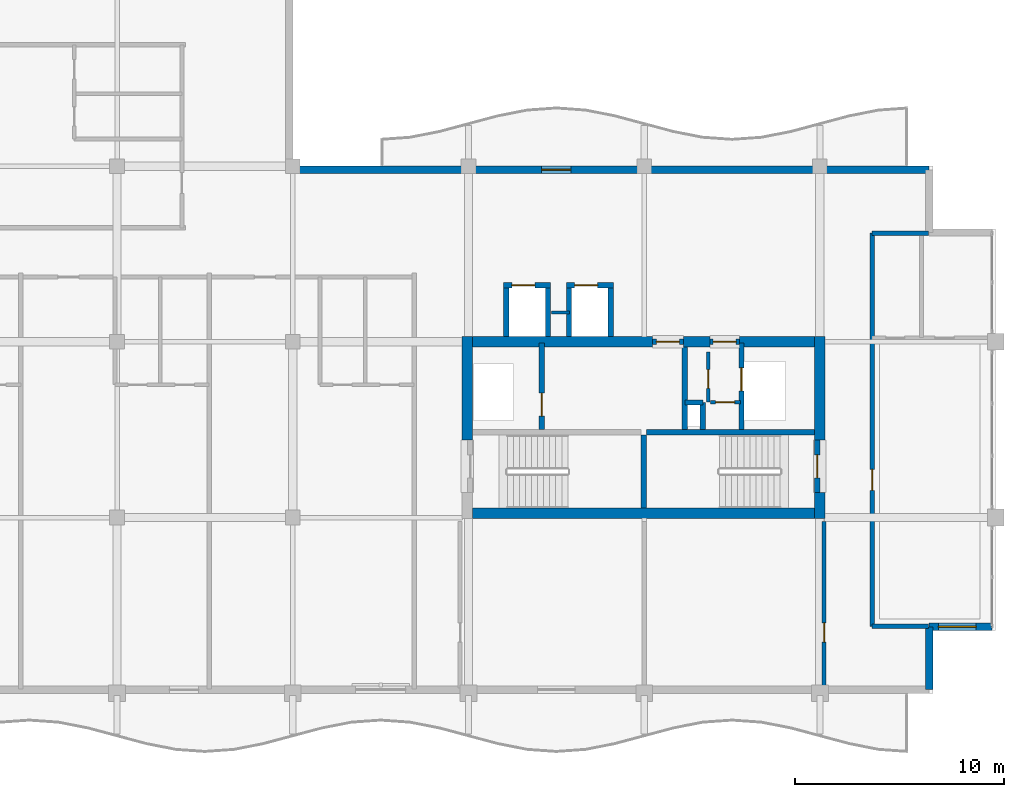
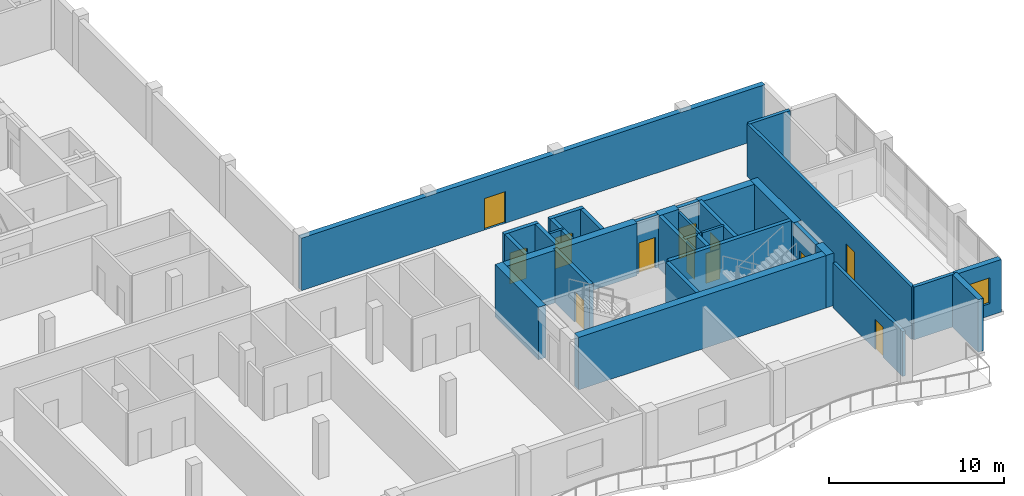
# One storey, part 7 of 14: 33 walls, 12 doors, 1 window, 13 openings.
"""IFC4 building model written with IfcOpenShell, lengths in metres."""

from ifc_helpers import new_model, si_unit, direction, frame, frame_2d, origin, place, context, subcontext, project, spatial, rectangle, extrude, material, layer, layer_set, type_object, element, fill, save


model = new_model("IFC4")

# Units and contexts
model_context = context("Model", 3, precision=1e-05, world=origin(), true_north=direction((0.0, 1.0)))
body_context = subcontext(model_context, "Body", "Model", "MODEL_VIEW")
ifc_project = project(units=[si_unit("LENGTHUNIT", "METRE"), si_unit("AREAUNIT", "SQUARE_METRE"), si_unit("VOLUMEUNIT", "CUBIC_METRE"), si_unit("PLANEANGLEUNIT", "RADIAN"), si_unit("MASSUNIT", "GRAM", prefix="KILO")], contexts=[model_context])

# Site, building, storey
site_placement = place(None, origin())
site = spatial("IfcSite", under=ifc_project, at=site_placement, CompositionType="ELEMENT")
building_placement = place(site_placement, origin())
building = spatial("IfcBuilding", under=site, at=building_placement, Name="Koriwani Terraces Tower", CompositionType="ELEMENT")
storey_placement = place(building_placement, frame((0.0, 0.0, 308.60009765625)))
storey = spatial("IfcBuildingStorey", under=building, at=storey_placement, Name="L76", CompositionType="ELEMENT", Elevation=308.60009765625)

# Walls
ifc_material_1 = material(Name="Concrete C50/60", Category="concrete")
ifc_layer_1 = layer(ifc_material_1, 0.5, Name="Concrete C50/60")
ifc_layer_set_1 = layer_set([ifc_layer_1], Name="Concrete C50/60")
wall_type_1 = type_object("IfcWallType", Name="WALL_CORE_RC_500", PredefinedType="SHEAR", material=ifc_layer_set_1)
wall_1_placement = place(storey_placement, frame((41.949951171875, 20.5, 0.0), z_axis=(0.0, 0.0, 1.0), x_axis=(0.0, 1.0, 0.0)))
element("IfcWall", 1, at=wall_1_placement, inside=storey, type_object=wall_type_1, Name="L76 East Split Core Shear Wall W2", PredefinedType="SHEAR", context=body_context, shape_type="SweptSolid", body=[
    extrude(rectangle(XDim=4.949951171875, YDim=0.5, at=frame_2d((2.47509765625, 0.0))), origin(), (0.0, 0.0, 1.0), 3.669921875),
])
wall_2_placement = place(storey_placement, frame((58.800048828125, 16.75, 0.0), z_axis=(0.0, 0.0, 1.0), x_axis=(0.0, 1.0, 0.0)))
element("IfcWall", 2, at=wall_2_placement, inside=storey, type_object=wall_type_1, Name="L76 East Split Core Shear Wall E1", PredefinedType="SHEAR", context=body_context, shape_type="SweptSolid", body=[
    extrude(rectangle(XDim=1.25, YDim=0.5, at=frame_2d((0.625, 0.0))), origin(), (0.0, 0.0, 1.0), 3.669921875),
])
wall_3_placement = place(storey_placement, frame((58.800048828125, 20.5, 0.0), z_axis=(0.0, 0.0, 1.0), x_axis=(0.0, 1.0, 0.0)))
element("IfcWall", 3, at=wall_3_placement, inside=storey, type_object=wall_type_1, Name="L76 East Split Core Shear Wall E2", PredefinedType="SHEAR", context=body_context, shape_type="SweptSolid", body=[
    extrude(rectangle(XDim=4.949951171875, YDim=0.5, at=frame_2d((2.47509765625, 0.0))), origin(), (0.0, 0.0, 1.0), 3.669921875),
])
wall_4_placement = place(storey_placement, frame((42.199951171875, 17.0, 0.0), z_axis=(0.0, 0.0, 1.0), x_axis=(1.0, 0.0, 0.0)))
element("IfcWall", 4, at=wall_4_placement, inside=storey, type_object=wall_type_1, Name="L76 East Split Core Shear Wall S1", PredefinedType="SHEAR", context=body_context, shape_type="SweptSolid", body=[
    extrude(rectangle(XDim=16.35009765625, YDim=0.5, at=frame_2d((8.175048828125, 0.0))), origin(), (0.0, 0.0, 1.0), 3.669921875),
])
wall_5_placement = place(storey_placement, frame((42.199951171875, 25.199951171875, 0.0), z_axis=(0.0, 0.0, 1.0), x_axis=(1.0, 0.0, 0.0)))
element("IfcWall", 5, at=wall_5_placement, inside=storey, type_object=wall_type_1, Name="L76 East Split Core Shear Wall N1", PredefinedType="SHEAR", context=body_context, shape_type="SweptSolid", body=[
    extrude(rectangle(XDim=8.60009765625, YDim=0.5, at=frame_2d((4.300048828125, 0.0))), origin(), (0.0, 0.0, 1.0), 3.669921875),
])
wall_6_placement = place(storey_placement, frame((52.280029296875, 25.199951171875, 0.0), z_axis=(0.0, 0.0, 1.0), x_axis=(1.0, 0.0, 0.0)))
element("IfcWall", 6, at=wall_6_placement, inside=storey, type_object=wall_type_1, Name="L76 East Split Core Shear Wall N2", PredefinedType="SHEAR", context=body_context, shape_type="SweptSolid", body=[
    extrude(rectangle(XDim=1.27001953125, YDim=0.5, at=frame_2d((0.635009765625, 0.0))), origin(), (0.0, 0.0, 1.0), 3.669921875),
])
wall_7_placement = place(storey_placement, frame((54.949951171875, 25.199951171875, 0.0), z_axis=(0.0, 0.0, 1.0), x_axis=(1.0, 0.0, 0.0)))
element("IfcWall", 7, at=wall_7_placement, inside=storey, type_object=wall_type_1, Name="L76 East Split Core Shear Wall N3", PredefinedType="SHEAR", context=body_context, shape_type="SweptSolid", body=[
    extrude(rectangle(XDim=3.60009765625, YDim=0.5, at=frame_2d((1.800048828125, 0.0))), origin(), (0.0, 0.0, 1.0), 3.669921875),
])

# Wall, opening, door
ifc_material_2 = material(Name="Autoclaved Cellular Concrete Blockwork", Category="masonry")
ifc_layer_2 = layer(ifc_material_2, 0.199951171875, Name="Autoclaved Cellular Concrete Blockwork")
ifc_layer_set_2 = layer_set([ifc_layer_2], Name="Autoclaved Cellular Concrete Blockwork")
wall_type_2 = type_object("IfcWallType", Name="WALL_CORRIDOR_200", PredefinedType="PARTITIONING", material=ifc_layer_set_2)
wall_8_placement = place(storey_placement, frame((59.0, 8.64990234375, 0.0), z_axis=(0.0, 0.0, 1.0), x_axis=(0.0, 1.0, 0.0)))
wall_8 = element("IfcWall", 8, at=wall_8_placement, inside=storey, type_object=wall_type_2, Name="L76 Interior Wall WRZ4-EE-L76", PredefinedType="PARTITIONING", context=body_context, shape_type="SweptSolid", body=[
    extrude(rectangle(XDim=7.9501953125, YDim=0.199951171875, at=frame_2d((3.97509765625, 0.0))), origin(), (0.0, 0.0, 1.0), 3.130859375),
])
opening_1_placement = place(wall_8_placement, frame((2.199951171875, 0.0, 0.0)))
opening_1 = element("IfcOpeningElement", 9, at=opening_1_placement, cuts=wall_8, Name="Opening D-06", PredefinedType="OPENING", context=body_context, shape_type="SweptSolid", body=[
    extrude(rectangle(XDim=0.919921875, YDim=2.10009765625, at=frame_2d((0.4599609375, 1.050048828125))), frame((0.0, 0.10986328125, 0.0), z_axis=(0.0, -1.0, 0.0), x_axis=(1.0, 0.0, 0.0)), (0.0, 0.0, 1.0), 0.219970703125),
])
ifc_material_3 = material(Name="Architectural Oak Fire Door", Category="wood")
door_type_1 = type_object("IfcDoorType", Name="DOOR_ROOM_INT_920X2100", OperationType="NOTDEFINED", PredefinedType="DOOR", material=ifc_material_3)
door_1_placement = place(opening_1_placement, origin())
door_1 = element("IfcDoor", 10, at=door_1_placement, inside=storey, type_object=door_type_1, Name="L76 Resident Laundry Room Door", OperationType="SINGLE_SWING_LEFT", OverallHeight=2.10009765625, OverallWidth=0.919921875, PredefinedType="DOOR", context=body_context, shape_type="SweptSolid", body=[
    extrude(rectangle(XDim=0.919921875, YDim=2.10009765625, at=frame_2d((0.4599609375, 1.050048828125))), frame((0.0, 0.02490234375, 0.0), z_axis=(0.0, -1.0, 0.0), x_axis=(1.0, 0.0, 0.0)), (0.0, 0.0, 1.0), 0.050048828125),
])
fill(opening_1, door_1)

wall_9_placement = place(storey_placement, frame((61.300048828125, 11.60009765625, 0.0), z_axis=(0.0, 0.0, 1.0), x_axis=(0.0, 1.0, 0.0)))
wall_9 = element("IfcWall", 11, at=wall_9_placement, inside=storey, type_object=wall_type_2, Name="L76 Interior Wall WET-W-L76", PredefinedType="PARTITIONING", context=body_context, shape_type="SweptSolid", body=[
    extrude(rectangle(XDim=18.7998046875, YDim=0.199951171875, at=frame_2d((9.39990234375, 0.0))), origin(), (0.0, 0.0, 1.0), 3.669921875),
])
opening_2_placement = place(wall_9_placement, frame((6.5, 0.0, 0.0)))
opening_2 = element("IfcOpeningElement", 12, at=opening_2_placement, cuts=wall_9, Name="Opening D-05", PredefinedType="OPENING", context=body_context, shape_type="SweptSolid", body=[
    extrude(rectangle(XDim=1.0, YDim=2.14990234375, at=frame_2d((0.5, 1.074951171875))), frame((0.0, 0.10986328125, 0.0), z_axis=(0.0, -1.0, 0.0), x_axis=(1.0, 0.0, 0.0)), (0.0, 0.0, 1.0), 0.219970703125),
])
door_type_2 = type_object("IfcDoorType", Name="DOOR_SUITE_ENTRY_1000X2150", OperationType="NOTDEFINED", PredefinedType="DOOR", material=ifc_material_3)
door_2_placement = place(opening_2_placement, origin())
door_2 = element("IfcDoor", 13, at=door_2_placement, inside=storey, type_object=door_type_2, Name="Apartment 76ET Entrance Door", OperationType="SINGLE_SWING_RIGHT", OverallHeight=2.14990234375, OverallWidth=1.0, PredefinedType="DOOR", context=body_context, shape_type="SweptSolid", body=[
    extrude(rectangle(XDim=1.0, YDim=2.14990234375, at=frame_2d((0.5, 1.074951171875))), frame((0.0, 0.02490234375, 0.0), z_axis=(0.0, -1.0, 0.0), x_axis=(1.0, 0.0, 0.0)), (0.0, 0.0, 1.0), 0.050048828125),
])
fill(opening_2, door_2)

# Walls
ifc_layer_3 = layer(ifc_material_2, 0.219970703125, Name="Autoclaved Cellular Concrete Blockwork")
ifc_layer_set_3 = layer_set([ifc_layer_3], Name="Autoclaved Cellular Concrete Blockwork")
wall_type_3 = type_object("IfcWallType", Name="WALL_DEMISING_220", PredefinedType="PARTITIONING", material=ifc_layer_set_3)
for number, where, z_axis, x_axis, name in (
    (14, (61.300048828125, 11.60009765625, 0.0), (0.0, 0.0, 1.0), (1.0, 0.0, 0.0), "L76 Interior Wall WET-S-L76"),
    (15, (61.300048828125, 30.39990234375, 0.0), (0.0, 0.0, 1.0), (1.0, 0.0, 0.0), "L76 Interior Wall WET-N-L76"),
):
    element("IfcWall", number, at=place(storey_placement, frame(where, z_axis=z_axis, x_axis=x_axis)), inside=storey, type_object=wall_type_3, Name=name, PredefinedType="PARTITIONING", context=body_context, shape_type="SweptSolid", body=[
        extrude(rectangle(XDim=2.699951171875, YDim=0.219970703125, at=frame_2d((1.35009765625, 0.0))), origin(), (0.0, 0.0, 1.0), 3.669921875),
    ])

# Wall, opening, door
ifc_layer_4 = layer(ifc_material_1, 0.35009765625, Name="Concrete C50/60")
ifc_layer_set_4 = layer_set([ifc_layer_4], Name="Concrete C50/60")
wall_type_4 = type_object("IfcWallType", Name="WALL_EXT_BRUTALIST_350", PredefinedType="STANDARD", material=ifc_layer_set_4)
wall_10_placement = place(storey_placement, frame((33.425048828125, 33.425048828125, 0.0), z_axis=(0.0, 0.0, 1.0), x_axis=(1.0, 0.0, 0.0)))
wall_10 = element("IfcWall", 16, at=wall_10_placement, inside=storey, type_object=wall_type_4, Name="L76 Fair-Faced Brutalist Exterior Wall (NE)", PredefinedType="STANDARD", context=body_context, shape_type="SweptSolid", body=[
    extrude(rectangle(XDim=30.599853515625, YDim=0.35009765625, at=frame_2d((15.2998046875, 0.0))), origin(), (0.0, 0.0, 1.0), 3.669921875),
])
opening_3_placement = place(wall_10_placement, frame((12.074951171875, 0.0, 0.0)))
opening_3 = element("IfcOpeningElement", 17, at=opening_3_placement, cuts=wall_10, Name="Opening D-09", PredefinedType="OPENING", context=body_context, shape_type="SweptSolid", body=[
    extrude(rectangle(XDim=1.39990234375, YDim=2.199951171875, at=frame_2d((0.699951171875, 1.10009765625))), frame((0.0, 0.18505859375, 0.0), z_axis=(0.0, -1.0, 0.0), x_axis=(1.0, 0.0, 0.0)), (0.0, 0.0, 1.0), 0.3701171875),
])
ifc_material_4 = material(Name="Anodised Bronze Aluminium", Category="aluminium")
door_type_3 = type_object("IfcDoorType", Name="DOOR_BALCONY_GLAZED_1400X2200", OperationType="NOTDEFINED", PredefinedType="DOOR", material=ifc_material_4)
door_3_placement = place(opening_3_placement, origin())
door_3 = element("IfcDoor", 18, at=door_3_placement, inside=storey, type_object=door_type_3, Name="L76 Inner Court Balcony Glazed Door", OperationType="SINGLE_SWING_LEFT", OverallHeight=2.199951171875, OverallWidth=1.39990234375, PredefinedType="DOOR", context=body_context, shape_type="SweptSolid", body=[
    extrude(rectangle(XDim=1.39990234375, YDim=2.199951171875, at=frame_2d((0.699951171875, 1.10009765625))), frame((0.0, 0.02490234375, 0.0), z_axis=(0.0, -1.0, 0.0), x_axis=(1.0, 0.0, 0.0)), (0.0, 0.0, 1.0), 0.050048828125),
])
fill(opening_3, door_3)

# Wall, opening, window
wall_11_placement = place(storey_placement, frame((67.02490234375, 11.574951171875, 0.0), z_axis=(0.0, 0.0, 1.0), x_axis=(-1.0, 0.0, 0.0)))
wall_11 = element("IfcWall", 19, at=wall_11_placement, inside=storey, type_object=wall_type_4, Name="L76 Fair-Faced Brutalist Exterior Wall (N13)", PredefinedType="STANDARD", context=body_context, shape_type="SweptSolid", body=[
    extrude(rectangle(XDim=3.0, YDim=0.35009765625, at=frame_2d((1.5, 0.0))), origin(), (0.0, 0.0, 1.0), 3.669921875),
])
opening_4_placement = place(wall_11_placement, frame((0.762451171875, 0.0, 0.85009765625)))
opening_4 = element("IfcOpeningElement", 20, at=opening_4_placement, cuts=wall_11, Name="Opening W-04", PredefinedType="OPENING", context=body_context, shape_type="SweptSolid", body=[
    extrude(rectangle(XDim=1.800048828125, YDim=1.800048828125, at=frame_2d((0.89990234375, 0.89990234375))), frame((0.0, 0.18505859375, 0.0), z_axis=(0.0, -1.0, 0.0), x_axis=(1.0, 0.0, 0.0)), (0.0, 0.0, 1.0), 0.3701171875),
])
ifc_material_5 = material(Name="Tempered Laminated Low-E Glass", Category="glass")
window_type = type_object("IfcWindowType", Name="WIN_RES_BED_1800X1800", PartitioningType="DOUBLE_PANEL_VERTICAL", PredefinedType="WINDOW", material=ifc_material_5)
window_placement = place(opening_4_placement, origin())
window = element("IfcWindow", 21, at=window_placement, inside=storey, type_object=window_type, Name="L76 Exterior Window (N13-R51)", OverallHeight=1.800048828125, OverallWidth=1.800048828125, PartitioningType="SINGLE_PANEL", PredefinedType="WINDOW", context=body_context, shape_type="SweptSolid", body=[
    extrude(rectangle(XDim=1.800048828125, YDim=1.800048828125, at=frame_2d((0.89990234375, 0.89990234375))), frame((0.0, 0.030029296875, 0.0), z_axis=(0.0, -1.0, 0.0), x_axis=(1.0, 0.0, 0.0)), (0.0, 0.0, 1.0), 0.06005859375),
])
fill(opening_4, window)

# Walls
wall_12_placement = place(storey_placement, frame((64.02490234375, 11.574951171875, 0.0), z_axis=(0.0, 0.0, 1.0), x_axis=(0.0, -1.0, 0.0)))
element("IfcWall", 22, at=wall_12_placement, inside=storey, type_object=wall_type_4, Name="L76 Fair-Faced Brutalist Exterior Wall (N14)", PredefinedType="STANDARD", context=body_context, shape_type="SweptSolid", body=[
    extrude(rectangle(XDim=3.0, YDim=0.35009765625, at=frame_2d((1.5, 0.0))), origin(), (0.0, 0.0, 1.0), 3.669921875),
])
ifc_material_6 = material(Name="Concrete C40/50", Category="concrete")
ifc_layer_5 = layer(ifc_material_6, 0.25, Name="Concrete C40/50")
ifc_layer_set_5 = layer_set([ifc_layer_5], Name="Concrete C40/50")
wall_type_5 = type_object("IfcWallType", Name="WALL_SHAFT_RATED_250", PredefinedType="SOLIDWALL", material=ifc_layer_set_5)
wall_13_placement = place(storey_placement, frame((50.5, 20.875, 0.0), z_axis=(0.0, 0.0, 1.0), x_axis=(1.0, 0.0, 0.0)))
element("IfcWall", 23, at=wall_13_placement, inside=storey, type_object=wall_type_5, Name="L76 East Split Core Web Wall MID2", PredefinedType="SOLIDWALL", context=body_context, shape_type="SweptSolid", body=[
    extrude(rectangle(XDim=8.050048828125, YDim=0.25, at=frame_2d((4.02490234375, 0.0))), origin(), (0.0, 0.0, 1.0), 3.669921875),
])
wall_14_placement = place(storey_placement, frame((50.375, 17.25, 0.0), z_axis=(0.0, 0.0, 1.0), x_axis=(0.0, 1.0, 0.0)))
element("IfcWall", 24, at=wall_14_placement, inside=storey, type_object=wall_type_5, Name="L76 East Split Core Stair Dividing Wall", PredefinedType="SOLIDWALL", context=body_context, shape_type="SweptSolid", body=[
    extrude(rectangle(XDim=3.5, YDim=0.25, at=frame_2d((1.75, 0.0))), origin(), (0.0, 0.0, 1.0), 3.669921875),
])

# Wall, opening, door
wall_15_placement = place(storey_placement, frame((58.675048828125, 18.0, 0.0), z_axis=(0.0, 0.0, 1.0), x_axis=(0.0, 1.0, 0.0)))
wall_15 = element("IfcWall", 25, at=wall_15_placement, inside=storey, type_object=wall_type_5, Name="L76 Interior Wall WIN-CE-L76-STE", PredefinedType="SOLIDWALL", context=body_context, shape_type="SweptSolid", body=[
    extrude(rectangle(XDim=2.5, YDim=0.25, at=frame_2d((1.25, 0.0))), origin(), (0.0, 0.0, 1.0), 3.669921875),
])
opening_5_placement = place(wall_15_placement, frame((0.699951171875, 0.0, 0.0)))
opening_5 = element("IfcOpeningElement", 26, at=opening_5_placement, cuts=wall_15, Name="Opening D-03", PredefinedType="OPENING", context=body_context, shape_type="SweptSolid", body=[
    extrude(rectangle(XDim=1.10009765625, YDim=2.14990234375, at=frame_2d((0.550048828125, 1.074951171875))), frame((0.0, 0.135009765625, 0.0), z_axis=(0.0, -1.0, 0.0), x_axis=(1.0, 0.0, 0.0)), (0.0, 0.0, 1.0), 0.27001953125),
])
ifc_material_7 = material(Name="Steel ASTM A572 Grade 50", Category="steel")
door_type_4 = type_object("IfcDoorType", Name="DOOR_STAIR_FIRE_1100X2150", OperationType="NOTDEFINED", PredefinedType="DOOR", material=ifc_material_7)
door_4_placement = place(opening_5_placement, origin())
door_4 = element("IfcDoor", 27, at=door_4_placement, inside=storey, type_object=door_type_4, Name="L76 Exit Stair ST-E2 Door", OperationType="SINGLE_SWING_LEFT", OverallHeight=2.14990234375, OverallWidth=1.10009765625, PredefinedType="DOOR", context=body_context, shape_type="SweptSolid", body=[
    extrude(rectangle(XDim=1.10009765625, YDim=2.14990234375, at=frame_2d((0.550048828125, 1.074951171875))), frame((0.0, 0.02490234375, 0.0), z_axis=(0.0, -1.0, 0.0), x_axis=(1.0, 0.0, 0.0)), (0.0, 0.0, 1.0), 0.050048828125),
])
fill(opening_5, door_4)

wall_16_placement = place(storey_placement, frame((45.5, 21.0, 0.0), z_axis=(0.0, 0.0, 1.0), x_axis=(0.0, 1.0, 0.0)))
wall_16 = element("IfcWall", 28, at=wall_16_placement, inside=storey, type_object=wall_type_5, Name="L76 Interior Wall WIN-CE-L76-FE", PredefinedType="SOLIDWALL", context=body_context, shape_type="SweptSolid", body=[
    extrude(rectangle(XDim=4.14990234375, YDim=0.25, at=frame_2d((2.074951171875, 0.0))), origin(), (0.0, 0.0, 1.0), 3.669921875),
])
opening_6_placement = place(wall_16_placement, frame((0.64990234375, 0.0, 0.0)))
opening_6 = element("IfcOpeningElement", 29, at=opening_6_placement, cuts=wall_16, Name="Opening LD-01", PredefinedType="OPENING", context=body_context, shape_type="SweptSolid", body=[
    extrude(rectangle(XDim=1.10009765625, YDim=2.14990234375, at=frame_2d((0.550048828125, 1.074951171875))), frame((0.0, 0.135009765625, 0.0), z_axis=(0.0, -1.0, 0.0), x_axis=(1.0, 0.0, 0.0)), (0.0, 0.0, 1.0), 0.27001953125),
])
door_type_5 = type_object("IfcDoorType", Name="DOOR_LIFT_LANDING_1100X2200", OperationType="NOTDEFINED", PredefinedType="DOOR", material=ifc_material_7)
door_5_placement = place(opening_6_placement, origin())
door_5 = element("IfcDoor", 30, at=door_5_placement, inside=storey, type_object=door_type_5, Name="L76 Firefighting Lift FE-02 Landing Door", OperationType="SLIDING_TO_LEFT", OverallHeight=2.14990234375, OverallWidth=1.10009765625, PredefinedType="DOOR", context=body_context, shape_type="SweptSolid", body=[
    extrude(rectangle(XDim=1.10009765625, YDim=2.14990234375, at=frame_2d((0.550048828125, 1.074951171875))), frame((0.0, 0.02490234375, 0.0), z_axis=(0.0, -1.0, 0.0), x_axis=(1.0, 0.0, 0.0)), (0.0, 0.0, 1.0), 0.050048828125),
])
fill(opening_6, door_5)

wall_17_placement = place(storey_placement, frame((50.800048828125, 25.199951171875, 0.0), z_axis=(0.0, 0.0, 1.0), x_axis=(1.0, 0.0, 0.0)))
wall_17 = element("IfcWall", 31, at=wall_17_placement, inside=storey, type_object=wall_type_5, Name="L76 Interior Wall WIN-CE-L76-NP", PredefinedType="SOLIDWALL", context=body_context, shape_type="SweptSolid", body=[
    extrude(rectangle(XDim=1.47998046875, YDim=0.25, at=frame_2d((0.739990234375, 0.0))), origin(), (0.0, 0.0, 1.0), 3.669921875),
])
opening_7_placement = place(wall_17_placement, frame((0.179931640625, 0.0, 0.0)))
opening_7 = element("IfcOpeningElement", 32, at=opening_7_placement, cuts=wall_17, Name="Opening D-03", PredefinedType="OPENING", context=body_context, shape_type="SweptSolid", body=[
    extrude(rectangle(XDim=1.10009765625, YDim=2.14990234375, at=frame_2d((0.550048828125, 1.074951171875))), frame((0.0, 0.135009765625, 0.0), z_axis=(0.0, -1.0, 0.0), x_axis=(1.0, 0.0, 0.0)), (0.0, 0.0, 1.0), 0.27001953125),
])
door_6_placement = place(opening_7_placement, origin())
door_6 = element("IfcDoor", 33, at=door_6_placement, inside=storey, type_object=door_type_4, Name="L76 East Firefighting Lobby Door", OperationType="SINGLE_SWING_RIGHT", OverallHeight=2.14990234375, OverallWidth=1.10009765625, PredefinedType="DOOR", context=body_context, shape_type="SweptSolid", body=[
    extrude(rectangle(XDim=1.10009765625, YDim=2.14990234375, at=frame_2d((0.550048828125, 1.074951171875))), frame((0.0, 0.02490234375, 0.0), z_axis=(0.0, -1.0, 0.0), x_axis=(1.0, 0.0, 0.0)), (0.0, 0.0, 1.0), 0.050048828125),
])
fill(opening_7, door_6)

# Wall
wall_18_placement = place(storey_placement, frame((52.340087890625, 21.0, 0.0), z_axis=(0.0, 0.0, 1.0), x_axis=(0.0, 1.0, 0.0)))
element("IfcWall", 34, at=wall_18_placement, inside=storey, type_object=wall_type_5, Name="L76 Interior Wall WIN-CE-L76-FFE", PredefinedType="SOLIDWALL", context=body_context, shape_type="SweptSolid", body=[
    extrude(rectangle(XDim=3.949951171875, YDim=0.25, at=frame_2d((1.97509765625, 0.0))), origin(), (0.0, 0.0, 1.0), 3.669921875),
])

# Wall, opening, door
wall_19_placement = place(storey_placement, frame((55.050048828125, 21.0, 0.0), z_axis=(0.0, 0.0, 1.0), x_axis=(0.0, 1.0, 0.0)))
wall_19 = element("IfcWall", 35, at=wall_19_placement, inside=storey, type_object=wall_type_5, Name="L76 Interior Wall WIN-CE-L76-SE", PredefinedType="SOLIDWALL", context=body_context, shape_type="SweptSolid", body=[
    extrude(rectangle(XDim=4.14990234375, YDim=0.25, at=frame_2d((2.074951171875, 0.0))), origin(), (0.0, 0.0, 1.0), 3.669921875),
])
opening_8_placement = place(wall_19_placement, frame((1.85009765625, 0.0, 0.0)))
opening_8 = element("IfcOpeningElement", 36, at=opening_8_placement, cuts=wall_19, Name="Opening LD-01", PredefinedType="OPENING", context=body_context, shape_type="SweptSolid", body=[
    extrude(rectangle(XDim=1.10009765625, YDim=2.14990234375, at=frame_2d((0.550048828125, 1.074951171875))), frame((0.0, 0.135009765625, 0.0), z_axis=(0.0, -1.0, 0.0), x_axis=(1.0, 0.0, 0.0)), (0.0, 0.0, 1.0), 0.27001953125),
])
door_7_placement = place(opening_8_placement, origin())
door_7 = element("IfcDoor", 37, at=door_7_placement, inside=storey, type_object=door_type_5, Name="L76 Goods Lift SE-02 Landing Door", OperationType="SLIDING_TO_LEFT", OverallHeight=2.14990234375, OverallWidth=1.10009765625, PredefinedType="DOOR", context=body_context, shape_type="SweptSolid", body=[
    extrude(rectangle(XDim=1.10009765625, YDim=2.14990234375, at=frame_2d((0.550048828125, 1.074951171875))), frame((0.0, 0.02490234375, 0.0), z_axis=(0.0, -1.0, 0.0), x_axis=(1.0, 0.0, 0.0)), (0.0, 0.0, 1.0), 0.050048828125),
])
fill(opening_8, door_7)

wall_20_placement = place(storey_placement, frame((53.550048828125, 25.199951171875, 0.0), z_axis=(0.0, 0.0, 1.0), x_axis=(1.0, 0.0, 0.0)))
wall_20 = element("IfcWall", 38, at=wall_20_placement, inside=storey, type_object=wall_type_5, Name="L76 Interior Wall WIN-CE-L76-NP2", PredefinedType="SOLIDWALL", context=body_context, shape_type="SweptSolid", body=[
    extrude(rectangle(XDim=1.39990234375, YDim=0.25, at=frame_2d((0.699951171875, 0.0))), origin(), (0.0, 0.0, 1.0), 3.669921875),
])
opening_9_placement = place(wall_20_placement, frame((0.14990234375, 0.0, 0.0)))
opening_9 = element("IfcOpeningElement", 39, at=opening_9_placement, cuts=wall_20, Name="Opening D-03", PredefinedType="OPENING", context=body_context, shape_type="SweptSolid", body=[
    extrude(rectangle(XDim=1.10009765625, YDim=2.14990234375, at=frame_2d((0.550048828125, 1.074951171875))), frame((0.0, 0.135009765625, 0.0), z_axis=(0.0, -1.0, 0.0), x_axis=(1.0, 0.0, 0.0)), (0.0, 0.0, 1.0), 0.27001953125),
])
door_8_placement = place(opening_9_placement, origin())
door_8 = element("IfcDoor", 40, at=door_8_placement, inside=storey, type_object=door_type_4, Name="L76 East Goods Lift Lobby Door", OperationType="SINGLE_SWING_LEFT", OverallHeight=2.14990234375, OverallWidth=1.10009765625, PredefinedType="DOOR", context=body_context, shape_type="SweptSolid", body=[
    extrude(rectangle(XDim=1.10009765625, YDim=2.14990234375, at=frame_2d((0.550048828125, 1.074951171875))), frame((0.0, 0.02490234375, 0.0), z_axis=(0.0, -1.0, 0.0), x_axis=(1.0, 0.0, 0.0)), (0.0, 0.0, 1.0), 0.050048828125),
])
fill(opening_9, door_8)

# Walls
wall_21_placement = place(storey_placement, frame((53.199951171875, 21.0, 0.0), z_axis=(0.0, 0.0, 1.0), x_axis=(0.0, 1.0, 0.0)))
element("IfcWall", 41, at=wall_21_placement, inside=storey, type_object=wall_type_5, Name="L76 Interior Wall WIN-CE-L76-RS1", PredefinedType="SOLIDWALL", context=body_context, shape_type="SweptSolid", body=[
    extrude(rectangle(XDim=1.300048828125, YDim=0.25, at=frame_2d((0.64990234375, 0.0))), origin(), (0.0, 0.0, 1.0), 3.669921875),
])
wall_22_placement = place(storey_placement, frame((52.360107421875, 22.300048828125, 0.0), z_axis=(0.0, 0.0, 1.0), x_axis=(1.0, 0.0, 0.0)))
element("IfcWall", 42, at=wall_22_placement, inside=storey, type_object=wall_type_5, Name="L76 Interior Wall WIN-CE-L76-RS2", PredefinedType="SOLIDWALL", context=body_context, shape_type="SweptSolid", body=[
    extrude(rectangle(XDim=0.83984375, YDim=0.25, at=frame_2d((0.419921875, 0.0))), origin(), (0.0, 0.0, 1.0), 3.669921875),
])

# Wall, opening, door
wall_23_placement = place(storey_placement, frame((43.675048828125, 27.89990234375, 0.0), z_axis=(0.0, 0.0, 1.0), x_axis=(1.0, 0.0, 0.0)))
wall_23 = element("IfcWall", 43, at=wall_23_placement, inside=storey, type_object=wall_type_5, Name="L76 Interior Wall WIN-LF-PE-H3-L76-F", PredefinedType="SOLIDWALL", context=body_context, shape_type="SweptSolid", body=[
    extrude(rectangle(XDim=2.25, YDim=0.25, at=frame_2d((1.125, 0.0))), origin(), (0.0, 0.0, 1.0), 3.669921875),
])
opening_10_placement = place(wall_23_placement, frame((0.39990234375, 0.0, 0.0)))
opening_10 = element("IfcOpeningElement", 44, at=opening_10_placement, cuts=wall_23, Name="Opening LD-01", PredefinedType="OPENING", context=body_context, shape_type="SweptSolid", body=[
    extrude(rectangle(XDim=1.10009765625, YDim=2.14990234375, at=frame_2d((0.550048828125, 1.074951171875))), frame((0.0, 0.135009765625, 0.0), z_axis=(0.0, -1.0, 0.0), x_axis=(1.0, 0.0, 0.0)), (0.0, 0.0, 1.0), 0.27001953125),
])
door_9_placement = place(opening_10_placement, origin())
door_9 = element("IfcDoor", 45, at=door_9_placement, inside=storey, type_object=door_type_5, Name="L76 Passenger Lift PE-H3 Landing Door", OperationType="SLIDING_TO_LEFT", OverallHeight=2.14990234375, OverallWidth=1.10009765625, PredefinedType="DOOR", context=body_context, shape_type="SweptSolid", body=[
    extrude(rectangle(XDim=1.10009765625, YDim=2.14990234375, at=frame_2d((0.550048828125, 1.074951171875))), frame((0.0, 0.02490234375, 0.0), z_axis=(0.0, -1.0, 0.0), x_axis=(1.0, 0.0, 0.0)), (0.0, 0.0, 1.0), 0.050048828125),
])
fill(opening_10, door_9)

# Walls
for number, where, z_axis, x_axis, name in (
    (46, (43.800048828125, 25.449951171875, 0.0), (0.0, 0.0, 1.0), (0.0, 1.0, 0.0), "L76 Interior Wall WIN-LF-PE-H3-L76-W"),
    (47, (45.800048828125, 25.449951171875, 0.0), (0.0, 0.0, 1.0), (0.0, 1.0, 0.0), "L76 Interior Wall WIN-LF-PE-H3-L76-E"),
):
    element("IfcWall", number, at=place(storey_placement, frame(where, z_axis=z_axis, x_axis=x_axis)), inside=storey, type_object=wall_type_5, Name=name, PredefinedType="SOLIDWALL", context=body_context, shape_type="SweptSolid", body=[
        extrude(rectangle(XDim=2.324951171875, YDim=0.25, at=frame_2d((1.16259765625, 0.0))), origin(), (0.0, 0.0, 1.0), 3.669921875),
    ])

# Wall, opening, door
wall_24_placement = place(storey_placement, frame((46.675048828125, 27.89990234375, 0.0), z_axis=(0.0, 0.0, 1.0), x_axis=(1.0, 0.0, 0.0)))
wall_24 = element("IfcWall", 48, at=wall_24_placement, inside=storey, type_object=wall_type_5, Name="L76 Interior Wall WIN-LF-PE-H4-L76-F", PredefinedType="SOLIDWALL", context=body_context, shape_type="SweptSolid", body=[
    extrude(rectangle(XDim=2.25, YDim=0.25, at=frame_2d((1.125, 0.0))), origin(), (0.0, 0.0, 1.0), 3.669921875),
])
opening_11_placement = place(wall_24_placement, frame((0.39990234375, 0.0, 0.0)))
opening_11 = element("IfcOpeningElement", 49, at=opening_11_placement, cuts=wall_24, Name="Opening LD-01", PredefinedType="OPENING", context=body_context, shape_type="SweptSolid", body=[
    extrude(rectangle(XDim=1.10009765625, YDim=2.14990234375, at=frame_2d((0.550048828125, 1.074951171875))), frame((0.0, 0.135009765625, 0.0), z_axis=(0.0, -1.0, 0.0), x_axis=(1.0, 0.0, 0.0)), (0.0, 0.0, 1.0), 0.27001953125),
])
door_10_placement = place(opening_11_placement, origin())
door_10 = element("IfcDoor", 50, at=door_10_placement, inside=storey, type_object=door_type_5, Name="L76 Passenger Lift PE-H4 Landing Door", OperationType="SLIDING_TO_LEFT", OverallHeight=2.14990234375, OverallWidth=1.10009765625, PredefinedType="DOOR", context=body_context, shape_type="SweptSolid", body=[
    extrude(rectangle(XDim=1.10009765625, YDim=2.14990234375, at=frame_2d((0.550048828125, 1.074951171875))), frame((0.0, 0.02490234375, 0.0), z_axis=(0.0, -1.0, 0.0), x_axis=(1.0, 0.0, 0.0)), (0.0, 0.0, 1.0), 0.050048828125),
])
fill(opening_11, door_10)

# Walls
for number, where, z_axis, x_axis, name in (
    (51, (46.800048828125, 25.449951171875, 0.0), (0.0, 0.0, 1.0), (0.0, 1.0, 0.0), "L76 Interior Wall WIN-LF-PE-H4-L76-W"),
    (52, (48.800048828125, 25.449951171875, 0.0), (0.0, 0.0, 1.0), (0.0, 1.0, 0.0), "L76 Interior Wall WIN-LF-PE-H4-L76-E"),
):
    element("IfcWall", number, at=place(storey_placement, frame(where, z_axis=z_axis, x_axis=x_axis)), inside=storey, type_object=wall_type_5, Name=name, PredefinedType="SOLIDWALL", context=body_context, shape_type="SweptSolid", body=[
        extrude(rectangle(XDim=2.324951171875, YDim=0.25, at=frame_2d((1.16259765625, 0.0))), origin(), (0.0, 0.0, 1.0), 3.669921875),
    ])

# Wall, opening, door
ifc_material_8 = material(Name="Fire-Rated Acoustic Gypsum Partition", Category="masonry")
ifc_layer_6 = layer(ifc_material_8, 0.159912109375, Name="Fire-Rated Acoustic Gypsum Partition")
ifc_layer_set_6 = layer_set([ifc_layer_6], Name="Fire-Rated Acoustic Gypsum Partition")
wall_type_6 = type_object("IfcWallType", Name="WALL_SUITE_160", PredefinedType="PARTITIONING", material=ifc_layer_set_6)
wall_25_placement = place(storey_placement, frame((53.56005859375, 22.320068359375, 0.0), z_axis=(0.0, 0.0, 1.0), x_axis=(1.0, 0.0, 0.0)))
wall_25 = element("IfcWall", 53, at=wall_25_placement, inside=storey, type_object=wall_type_6, Name="L76 Interior Wall WIN-CE-L76-SV1A", PredefinedType="PARTITIONING", context=body_context, shape_type="SweptSolid", body=[
    extrude(rectangle(XDim=1.43994140625, YDim=0.159912109375, at=frame_2d((0.719970703125, 0.0))), origin(), (0.0, 0.0, 1.0), 3.669921875),
])
opening_12_placement = place(wall_25_placement, frame((0.260009765625, 0.0, 0.0)))
opening_12 = element("IfcOpeningElement", 54, at=opening_12_placement, cuts=wall_25, Name="Opening D-07", PredefinedType="OPENING", context=body_context, shape_type="SweptSolid", body=[
    extrude(rectangle(XDim=0.89990234375, YDim=2.10009765625, at=frame_2d((0.449951171875, 1.050048828125))), frame((0.0, 0.08984375, 0.0), z_axis=(0.0, -1.0, 0.0), x_axis=(1.0, 0.0, 0.0)), (0.0, 0.0, 1.0), 0.179931640625),
])
door_type_6 = type_object("IfcDoorType", Name="DOOR_BATH_INT_900X2100", OperationType="NOTDEFINED", PredefinedType="DOOR", material=ifc_material_3)
door_11_placement = place(opening_12_placement, origin())
door_11 = element("IfcDoor", 55, at=door_11_placement, inside=storey, type_object=door_type_6, Name="L76 East Telecom Room Door", OperationType="SINGLE_SWING_RIGHT", OverallHeight=2.10009765625, OverallWidth=0.89990234375, PredefinedType="DOOR", context=body_context, shape_type="SweptSolid", body=[
    extrude(rectangle(XDim=0.89990234375, YDim=2.10009765625, at=frame_2d((0.449951171875, 1.050048828125))), frame((0.0, 0.02490234375, 0.0), z_axis=(0.0, -1.0, 0.0), x_axis=(1.0, 0.0, 0.0)), (0.0, 0.0, 1.0), 0.050048828125),
])
fill(opening_12, door_11)

wall_26_placement = place(storey_placement, frame((53.4599609375, 22.320068359375, 0.0), z_axis=(0.0, 0.0, 1.0), x_axis=(0.0, 1.0, 0.0)))
wall_26 = element("IfcWall", 56, at=wall_26_placement, inside=storey, type_object=wall_type_6, Name="L76 Interior Wall WIN-CE-L76-SV1B", PredefinedType="PARTITIONING", context=body_context, shape_type="SweptSolid", body=[
    extrude(rectangle(XDim=2.39990234375, YDim=0.159912109375, at=frame_2d((1.199951171875, 0.0))), origin(), (0.0, 0.0, 1.0), 3.669921875),
])
opening_13_placement = place(wall_26_placement, frame((0.64990234375, 0.0, 0.0)))
opening_13 = element("IfcOpeningElement", 57, at=opening_13_placement, cuts=wall_26, Name="Opening D-07", PredefinedType="OPENING", context=body_context, shape_type="SweptSolid", body=[
    extrude(rectangle(XDim=0.89990234375, YDim=2.10009765625, at=frame_2d((0.449951171875, 1.050048828125))), frame((0.0, 0.08984375, 0.0), z_axis=(0.0, -1.0, 0.0), x_axis=(1.0, 0.0, 0.0)), (0.0, 0.0, 1.0), 0.179931640625),
])
door_12_placement = place(opening_13_placement, origin())
door_12 = element("IfcDoor", 58, at=door_12_placement, inside=storey, type_object=door_type_6, Name="L76 East Cleaners Closet Door", OperationType="SINGLE_SWING_LEFT", OverallHeight=2.10009765625, OverallWidth=0.89990234375, PredefinedType="DOOR", context=body_context, shape_type="SweptSolid", body=[
    extrude(rectangle(XDim=0.89990234375, YDim=2.10009765625, at=frame_2d((0.449951171875, 1.050048828125))), frame((0.0, 0.02490234375, 0.0), z_axis=(0.0, -1.0, 0.0), x_axis=(1.0, 0.0, 0.0)), (0.0, 0.0, 1.0), 0.050048828125),
])
fill(opening_13, door_12)

# Wall
wall_27_placement = place(storey_placement, frame((45.9599609375, 26.60009765625, 0.0), z_axis=(0.0, 0.0, 1.0), x_axis=(1.0, 0.0, 0.0)))
element("IfcWall", 59, at=wall_27_placement, inside=storey, type_object=wall_type_6, Name="L76 Interior Wall WIN-LF-PEH34-MID-L76", PredefinedType="PARTITIONING", context=body_context, shape_type="SweptSolid", body=[
    extrude(rectangle(XDim=0.880126953125, YDim=0.159912109375, at=frame_2d((0.43994140625, 0.0))), origin(), (0.0, 0.0, 1.0), 3.669921875),
])

save(model, "model.ifc")
